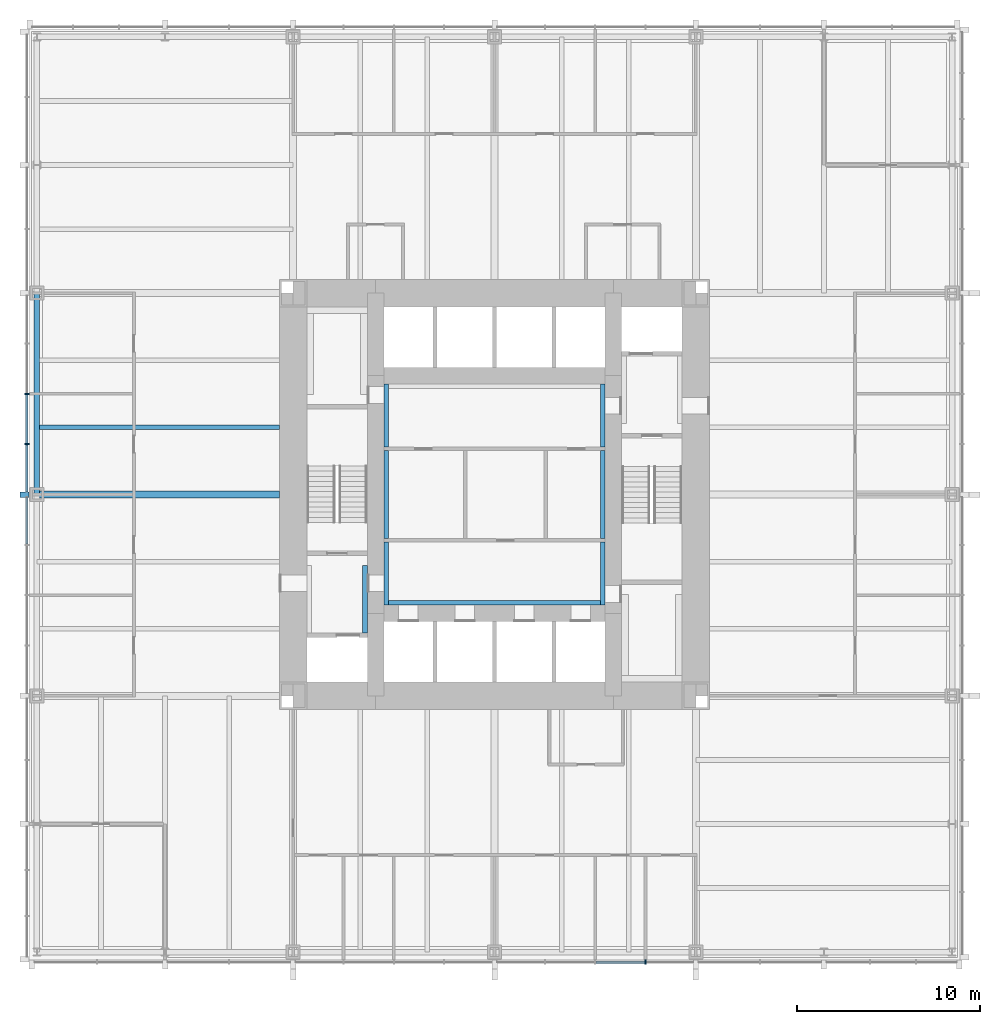
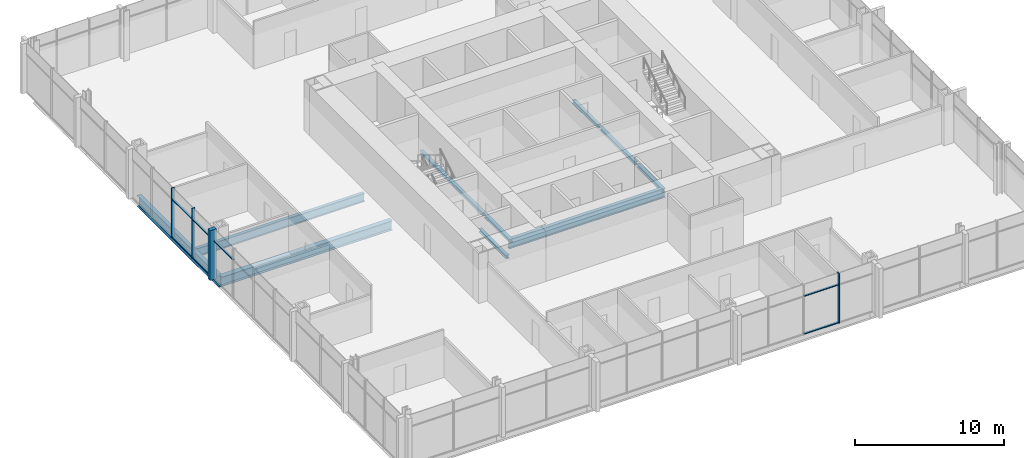
# One storey, part 3 of 12: 11 beams, 11 members, 2 elements without a shape of their own.
"""IFC4 building model written with IfcOpenShell, lengths in metres."""

from ifc_helpers import new_model, si_unit, direction, frame, origin, origin_2d, place, context, subcontext, project, spatial, rectangle, i_section, extrude, material, material_profile, profile_set, type_object, element, aggregate, save


model = new_model("IFC4")

# Units and contexts
model_context = context("Model", 3, precision=1e-05, world=origin(), true_north=direction((0.0, 1.0)))
body_context = subcontext(model_context, "Body", "Model", "MODEL_VIEW")
ifc_project = project(units=[si_unit("LENGTHUNIT", "METRE"), si_unit("AREAUNIT", "SQUARE_METRE"), si_unit("VOLUMEUNIT", "CUBIC_METRE"), si_unit("PLANEANGLEUNIT", "RADIAN"), si_unit("MASSUNIT", "GRAM", prefix="KILO")], contexts=[model_context])

# Site, building, storey
site_placement = place(None, origin())
site = spatial("IfcSite", under=ifc_project, at=site_placement, CompositionType="ELEMENT")
building_placement = place(site_placement, origin())
building = spatial("IfcBuilding", under=site, at=building_placement, Name="Trevanion Tower", CompositionType="ELEMENT")
storey_placement = place(building_placement, frame((0.0, 0.0, 77.5)))
storey = spatial("IfcBuildingStorey", under=building, at=storey_placement, Name="L18", CompositionType="ELEMENT", Elevation=77.5)

# Beam
ifc_material_1 = material(Name="Steel ASTM A992 Grade 50", Category="steel")
ifc_material_profile_1 = material_profile(ifc_material_1, i_section(OverallWidth=0.25390625, OverallDepth=0.700927734375, WebThickness=0.015380859375, FlangeThickness=0.02783203125, at=origin_2d()), Name="W27X129")
ifc_profile_set_1 = profile_set([ifc_material_profile_1], Name="Steel ASTM A992 Grade 50")
beam_type_1 = type_object("IfcBeamType", Name="B3 W27X129", PredefinedType="BEAM", material=ifc_profile_set_1)
beam_1_placement = place(storey_placement, frame((-11.75, 3.666748046875, -0.54052734375), z_axis=(-1.0, 0.0, 0.0), x_axis=(0.0, -1.0, 0.0)))
element("IfcBeam", 1, at=beam_1_placement, inside=storey, type_object=beam_type_1, Name="B3 L18", PredefinedType="BEAM", context=body_context, shape_type="SweptSolid", body=[
    extrude(i_section(OverallWidth=0.25390625, OverallDepth=0.700927734375, WebThickness=0.015380859375, FlangeThickness=0.02783203125, at=origin_2d()), origin(), (0.0, 0.0, 1.0), 13.25),
])

# Curtain wall, members
ifc_material_2 = material(Name="Aluminium and glass", Category="aluminium")
curtain_wall_type = type_object("IfcCurtainWallType", Name="CW1 curtain wall", PredefinedType="USERDEFINED", material=ifc_material_2)
curtain_wall_1_placement = place(storey_placement, origin())
curtain_wall_1 = element("IfcCurtainWall", 2, at=curtain_wall_1_placement, inside=storey, type_object=curtain_wall_type, Name="CW1 L18 2", ObjectType="UNITISED CURTAIN WALL", PredefinedType="USERDEFINED")
ifc_material_3 = material(Name="Aluminium extrusion, anodised bronze", Category="aluminium")
ifc_material_profile_2 = material_profile(ifc_material_3, rectangle(XDim=0.074951171875, YDim=0.25, at=origin_2d()), Name="CW1 mullion")
ifc_profile_set_2 = profile_set([ifc_material_profile_2], Name="Aluminium extrusion, anodised bronze")
member_type_1 = type_object("IfcMemberType", Name="CW1 mullion", PredefinedType="MULLION", material=ifc_profile_set_2)
member_1_placement = place(storey_placement, frame((-25.550048828125, 5.5, -0.18994140625), z_axis=(0.0, 0.0, 1.0), x_axis=(0.0, -1.0, 0.0)))
member_1 = element("IfcMember", 3, at=member_1_placement, type_object=member_type_1, Name="CW1 mullion 7", PredefinedType="MULLION", context=body_context, shape_type="SweptSolid", body=[
    extrude(rectangle(XDim=0.074951171875, YDim=0.25, at=origin_2d()), origin(), (0.0, 0.0, 1.0), 4.099853515625),
])
member_2_placement = place(storey_placement, frame((-25.550048828125, 2.75, -0.18994140625), z_axis=(0.0, 0.0, 1.0), x_axis=(0.0, -1.0, 0.0)))
member_2 = element("IfcMember", 4, at=member_2_placement, type_object=member_type_1, Name="CW1 mullion 8", PredefinedType="MULLION", context=body_context, shape_type="SweptSolid", body=[
    extrude(rectangle(XDim=0.074951171875, YDim=0.25, at=origin_2d()), origin(), (0.0, 0.0, 1.0), 4.099853515625),
])

# Curtain wall, member
curtain_wall_2_placement = place(storey_placement, origin())
curtain_wall_2 = element("IfcCurtainWall", 5, at=curtain_wall_2_placement, inside=storey, type_object=curtain_wall_type, Name="CW1 L18 3", ObjectType="UNITISED CURTAIN WALL", PredefinedType="USERDEFINED")
member_3_placement = place(storey_placement, frame((8.25, -25.550048828125, -0.18994140625), z_axis=(0.0, 0.0, 1.0), x_axis=(1.0, 0.0, 0.0)))
member_3 = element("IfcMember", 6, at=member_3_placement, type_object=member_type_1, Name="CW1 mullion 12", PredefinedType="MULLION", context=body_context, shape_type="SweptSolid", body=[
    extrude(rectangle(XDim=0.074951171875, YDim=0.25, at=origin_2d()), origin(), (0.0, 0.0, 1.0), 4.099853515625),
])

# Member
ifc_material_4 = material(Name="Aluminium extrusion, anodised bronze", Category="aluminium")
ifc_material_profile_3 = material_profile(ifc_material_4, rectangle(XDim=0.300048828125, YDim=0.5, at=origin_2d()), Name="CW1 pier mullion")
ifc_profile_set_3 = profile_set([ifc_material_profile_3], Name="Aluminium extrusion, anodised bronze")
member_type_2 = type_object("IfcMemberType", Name="CW1 pier mullion", PredefinedType="MULLION", material=ifc_profile_set_3)
member_4_placement = place(storey_placement, frame((-25.675048828125, 0.0, -0.18994140625), z_axis=(0.0, 0.0, 1.0), x_axis=(0.0, -1.0, 0.0)))
member_4 = element("IfcMember", 7, at=member_4_placement, type_object=member_type_2, Name="CW1 pier mullion 9", PredefinedType="MULLION", context=body_context, shape_type="SweptSolid", body=[
    extrude(rectangle(XDim=0.300048828125, YDim=0.5, at=origin_2d()), origin(), (0.0, 0.0, 1.0), 4.099853515625),
])

ifc_material_5 = material(Name="Aluminium extrusion, anodised bronze", Category="aluminium")
ifc_material_profile_4 = material_profile(ifc_material_5, rectangle(XDim=0.14990234375, YDim=0.074951171875, at=origin_2d()), Name="CW1 transom")
ifc_profile_set_4 = profile_set([ifc_material_profile_4], Name="Aluminium extrusion, anodised bronze")
member_type_3 = type_object("IfcMemberType", Name="CW1 transom", PredefinedType="USERDEFINED", material=ifc_profile_set_4)
member_5_placement = place(storey_placement, frame((-25.550048828125, 5.46240234375, -0.152587890625), z_axis=(0.0, -1.0, 0.0), x_axis=(1.0, 0.0, 0.0)))
member_5 = element("IfcMember", 8, at=member_5_placement, type_object=member_type_3, Name="CW1 transom 7.1", ObjectType="TRANSOM", PredefinedType="USERDEFINED", context=body_context, shape_type="SweptSolid", body=[
    extrude(rectangle(XDim=0.14990234375, YDim=0.074951171875, at=origin_2d()), origin(), (0.0, 0.0, 1.0), 2.6748046875),
])

member_6_placement = place(storey_placement, frame((-25.550048828125, 5.46240234375, 2.9599609375), z_axis=(0.0, -1.0, 0.0), x_axis=(1.0, 0.0, 0.0)))
member_6 = element("IfcMember", 9, at=member_6_placement, type_object=member_type_3, Name="CW1 transom 7.2", ObjectType="TRANSOM", PredefinedType="USERDEFINED", context=body_context, shape_type="SweptSolid", body=[
    extrude(rectangle(XDim=0.14990234375, YDim=0.074951171875, at=origin_2d()), origin(), (0.0, 0.0, 1.0), 2.6748046875),
])

member_7_placement = place(storey_placement, frame((-25.550048828125, 2.71240234375, -0.152587890625), z_axis=(0.0, -1.0, 0.0), x_axis=(1.0, 0.0, 0.0)))
member_7 = element("IfcMember", 10, at=member_7_placement, type_object=member_type_3, Name="CW1 transom 8.1", ObjectType="TRANSOM", PredefinedType="USERDEFINED", context=body_context, shape_type="SweptSolid", body=[
    extrude(rectangle(XDim=0.14990234375, YDim=0.074951171875, at=origin_2d()), origin(), (0.0, 0.0, 1.0), 2.5625),
])

member_8_placement = place(storey_placement, frame((-25.550048828125, 2.71240234375, 2.9599609375), z_axis=(0.0, -1.0, 0.0), x_axis=(1.0, 0.0, 0.0)))
member_8 = element("IfcMember", 11, at=member_8_placement, type_object=member_type_3, Name="CW1 transom 8.2", ObjectType="TRANSOM", PredefinedType="USERDEFINED", context=body_context, shape_type="SweptSolid", body=[
    extrude(rectangle(XDim=0.14990234375, YDim=0.074951171875, at=origin_2d()), origin(), (0.0, 0.0, 1.0), 2.5625),
])

member_9_placement = place(storey_placement, frame((-25.550048828125, -0.14990234375, 2.9599609375), z_axis=(0.0, -1.0, 0.0), x_axis=(1.0, 0.0, 0.0)))
member_9 = element("IfcMember", 12, at=member_9_placement, type_object=member_type_3, Name="CW1 transom 9.2", ObjectType="TRANSOM", PredefinedType="USERDEFINED", context=body_context, shape_type="SweptSolid", body=[
    extrude(rectangle(XDim=0.14990234375, YDim=0.074951171875, at=origin_2d()), origin(), (0.0, 0.0, 1.0), 2.5625),
])

aggregate(curtain_wall_1, [member_1, member_2, member_4, member_5, member_6, member_7, member_8, member_9])

member_10_placement = place(storey_placement, frame((5.53759765625, -25.550048828125, -0.152587890625), z_axis=(1.0, 0.0, 0.0), x_axis=(0.0, 1.0, 0.0)))
member_10 = element("IfcMember", 13, at=member_10_placement, type_object=member_type_3, Name="CW1 transom 11.1", ObjectType="TRANSOM", PredefinedType="USERDEFINED", context=body_context, shape_type="SweptSolid", body=[
    extrude(rectangle(XDim=0.14990234375, YDim=0.074951171875, at=origin_2d()), origin(), (0.0, 0.0, 1.0), 2.6748046875),
])

member_11_placement = place(storey_placement, frame((5.53759765625, -25.550048828125, 2.9599609375), z_axis=(1.0, 0.0, 0.0), x_axis=(0.0, 1.0, 0.0)))
member_11 = element("IfcMember", 14, at=member_11_placement, type_object=member_type_3, Name="CW1 transom 11.2", ObjectType="TRANSOM", PredefinedType="USERDEFINED", context=body_context, shape_type="SweptSolid", body=[
    extrude(rectangle(XDim=0.14990234375, YDim=0.074951171875, at=origin_2d()), origin(), (0.0, 0.0, 1.0), 2.6748046875),
])

aggregate(curtain_wall_2, [member_3, member_10, member_11])

# Beams
ifc_material_6 = material(Name="Steel ASTM A992 Grade 50", Category="steel")
ifc_material_profile_5 = material_profile(ifc_material_6, i_section(OverallWidth=0.381103515625, OverallDepth=0.77978515625, WebThickness=0.01806640625, FlangeThickness=0.0302734375, at=origin_2d()), Name="W30X191")
ifc_profile_set_5 = profile_set([ifc_material_profile_5], Name="Steel ASTM A992 Grade 50")
beam_type_2 = type_object("IfcBeamType", Name="G2 W30X191", PredefinedType="BEAM", material=ifc_profile_set_5)
beam_2_placement = place(storey_placement, frame((-11.75, 0.0, -0.579833984375), z_axis=(-1.0, 0.0, 0.0), x_axis=(0.0, -1.0, 0.0)))
element("IfcBeam", 15, at=beam_2_placement, inside=storey, type_object=beam_type_2, Name="G2 L18", PredefinedType="BEAM", context=body_context, shape_type="SweptSolid", body=[
    extrude(i_section(OverallWidth=0.381103515625, OverallDepth=0.77978515625, WebThickness=0.01806640625, FlangeThickness=0.0302734375, at=origin_2d()), origin(), (0.0, 0.0, 1.0), 13.25),
])
ifc_material_7 = material(Name="Steel ASTM A992 Grade 50", Category="steel")
ifc_material_profile_6 = material_profile(ifc_material_7, i_section(OverallWidth=0.256591796875, OverallDepth=0.26416015625, WebThickness=0.011962890625, FlangeThickness=0.01953125, at=origin_2d()), Name="W10X68")
ifc_profile_set_6 = profile_set([ifc_material_profile_6], Name="Steel ASTM A992 Grade 50")
beam_type_3 = type_object("IfcBeamType", Name="LB1 W10X68", PredefinedType="BEAM", material=ifc_profile_set_6)
for number, where, z_axis, x_axis, name in (
    (16, (-5.921630859375, 2.60009765625, -0.33203125), (0.0, 1.0, 0.0), (-1.0, 0.0, 0.0), "LB1 L18"),
    (17, (5.921630859375, 2.60009765625, -0.33203125), (0.0, 1.0, 0.0), (-1.0, 0.0, 0.0), "LB1 L18"),
    (18, (-5.921630859375, -6.050048828125, -0.33203125), (0.0, 1.0, 0.0), (-1.0, 0.0, 0.0), "LB1 L18"),
    (19, (5.921630859375, -6.050048828125, -0.33203125), (0.0, 1.0, 0.0), (-1.0, 0.0, 0.0), "LB1 L18"),
):
    element("IfcBeam", number, at=place(storey_placement, frame(where, z_axis=z_axis, x_axis=x_axis)), inside=storey, type_object=beam_type_3, Name=name, PredefinedType="BEAM", context=body_context, shape_type="SweptSolid", body=[
        extrude(i_section(OverallWidth=0.256591796875, OverallDepth=0.26416015625, WebThickness=0.011962890625, FlangeThickness=0.01953125, at=origin_2d()), origin(), (0.0, 0.0, 1.0), 3.449951171875),
    ])
beam_3_placement = place(storey_placement, frame((-7.078369140625, -7.574951171875, -0.33203125), z_axis=(0.0, 1.0, 0.0), x_axis=(-1.0, 0.0, 0.0)))
element("IfcBeam", 20, at=beam_3_placement, inside=storey, type_object=beam_type_3, Name="LB1 L18", PredefinedType="BEAM", context=body_context, shape_type="SweptSolid", body=[
    extrude(i_section(OverallWidth=0.256591796875, OverallDepth=0.26416015625, WebThickness=0.011962890625, FlangeThickness=0.01953125, at=origin_2d()), origin(), (0.0, 0.0, 1.0), 3.699951171875),
])
for number, where, z_axis, x_axis, name in (
    (21, (-5.921630859375, -2.39990234375, -0.33203125), (0.0, 1.0, 0.0), (-1.0, 0.0, 0.0), "LB1 L18"),
    (22, (5.921630859375, -2.39990234375, -0.33203125), (0.0, 1.0, 0.0), (-1.0, 0.0, 0.0), "LB1 L18"),
):
    element("IfcBeam", number, at=place(storey_placement, frame(where, z_axis=z_axis, x_axis=x_axis)), inside=storey, type_object=beam_type_3, Name=name, PredefinedType="BEAM", context=body_context, shape_type="SweptSolid", body=[
        extrude(i_section(OverallWidth=0.256591796875, OverallDepth=0.26416015625, WebThickness=0.011962890625, FlangeThickness=0.01953125, at=origin_2d()), origin(), (0.0, 0.0, 1.0), 4.7998046875),
    ])
ifc_material_8 = material(Name="Steel ASTM A992 Grade 50", Category="steel")
ifc_material_profile_7 = material_profile(ifc_material_8, i_section(OverallWidth=0.2666015625, OverallDepth=0.76953125, WebThickness=0.015625, FlangeThickness=0.025390625, at=origin_2d()), Name="W30X132")
ifc_profile_set_7 = profile_set([ifc_material_profile_7], Name="Steel ASTM A992 Grade 50")
beam_type_4 = type_object("IfcBeamType", Name="LB3 W30X132", PredefinedType="BEAM", material=ifc_profile_set_7)
beam_4_placement = place(storey_placement, frame((-6.050048828125, -5.91650390625, -0.584716796875), z_axis=(1.0, 0.0, 0.0), x_axis=(0.0, 1.0, 0.0)))
element("IfcBeam", 23, at=beam_4_placement, inside=storey, type_object=beam_type_4, Name="LB3 L18", PredefinedType="BEAM", context=body_context, shape_type="SweptSolid", body=[
    extrude(i_section(OverallWidth=0.2666015625, OverallDepth=0.76953125, WebThickness=0.015625, FlangeThickness=0.025390625, at=origin_2d()), origin(), (0.0, 0.0, 1.0), 12.10009765625),
])
ifc_material_9 = material(Name="Steel ASTM A992 Grade 50", Category="steel")
ifc_material_profile_8 = material_profile(ifc_material_9, i_section(OverallWidth=0.307373046875, OverallDepth=0.927001953125, WebThickness=0.01953125, FlangeThickness=0.031982421875, at=origin_2d()), Name="W36X194")
ifc_profile_set_8 = profile_set([ifc_material_profile_8], Name="Steel ASTM A992 Grade 50")
beam_type_5 = type_object("IfcBeamType", Name="SB2 W36X194", PredefinedType="SPANDREL", material=ifc_profile_set_8)
beam_5_placement = place(storey_placement, frame((-25.0, 11.0, -0.653564453125), z_axis=(0.0, -1.0, 0.0), x_axis=(1.0, 0.0, 0.0)))
element("IfcBeam", 24, at=beam_5_placement, inside=storey, type_object=beam_type_5, Name="SB2 L18", PredefinedType="SPANDREL", context=body_context, shape_type="SweptSolid", body=[
    extrude(i_section(OverallWidth=0.307373046875, OverallDepth=0.927001953125, WebThickness=0.01953125, FlangeThickness=0.031982421875, at=origin_2d()), origin(), (0.0, 0.0, 1.0), 11.0),
])

save(model, "model.ifc")
